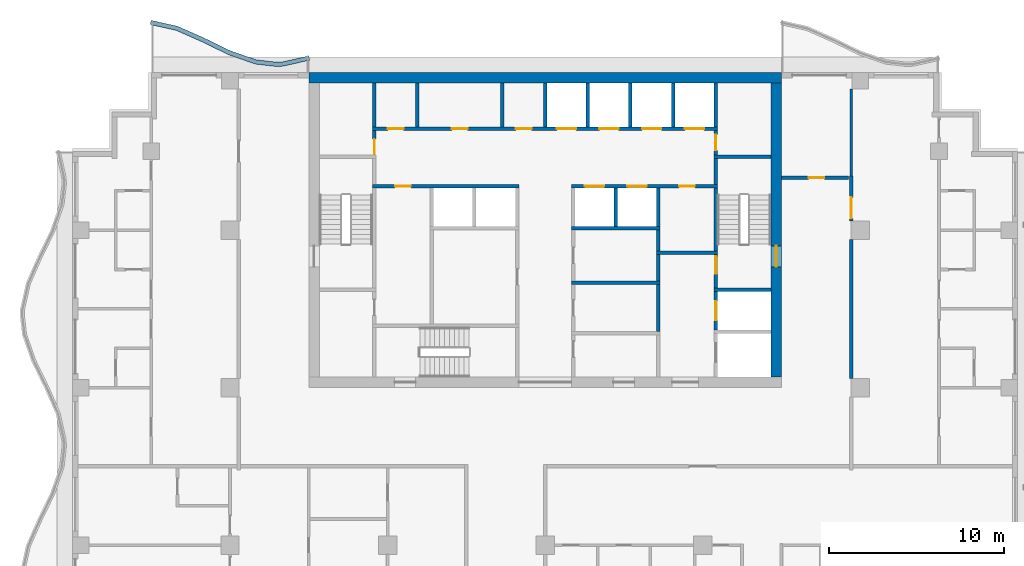
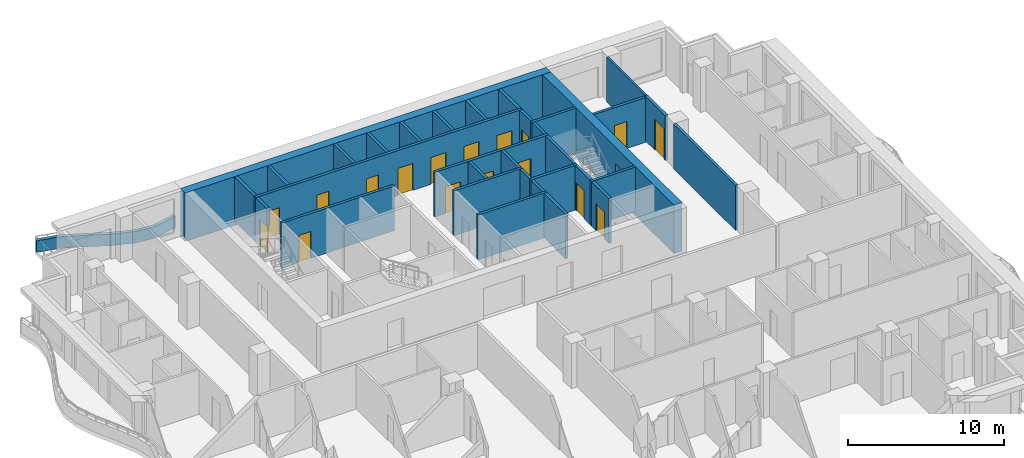
# One storey, part 6 of 11: 34 walls, 18 doors, 18 openings.
"""IFC4 building model written with IfcOpenShell, lengths in metres."""

from ifc_helpers import new_model, si_unit, direction, frame, frame_2d, origin, place, context, subcontext, project, spatial, polyline, rectangle, outline, extrude, material, layer, layer_set, type_object, element, fill, save


model = new_model("IFC4")

# Units and contexts
model_context = context("Model", 3, precision=1e-05, world=origin(), true_north=direction((0.0, 1.0)))
body_context = subcontext(model_context, "Body", "Model", "MODEL_VIEW")
ifc_project = project(units=[si_unit("LENGTHUNIT", "METRE"), si_unit("AREAUNIT", "SQUARE_METRE"), si_unit("VOLUMEUNIT", "CUBIC_METRE"), si_unit("PLANEANGLEUNIT", "RADIAN"), si_unit("MASSUNIT", "GRAM", prefix="KILO")], contexts=[model_context])

# Site, building, storey
site_placement = place(None, origin())
site = spatial("IfcSite", under=ifc_project, at=site_placement, CompositionType="ELEMENT")
building_placement = place(site_placement, origin())
building = spatial("IfcBuilding", under=site, at=building_placement, Name="Orbiselva Terraces", CompositionType="ELEMENT")
storey_placement = place(building_placement, frame((0.0, 0.0, 230.0)))
storey = spatial("IfcBuildingStorey", under=building, at=storey_placement, Name="L58", CompositionType="ELEMENT", Elevation=230.0)

# Wall, opening, door
ifc_material_1 = material(Name="Concrete C80/95", Category="concrete")
ifc_layer_1 = layer(ifc_material_1, 0.6)
ifc_layer_set_1 = layer_set([ifc_layer_1], Name="Concrete C80/95")
wall_type_1 = type_object("IfcWallType", Name="CORE WALL 600", PredefinedType="SHEAR", material=ifc_layer_set_1)
wall_1_placement = place(storey_placement, frame((13.2, 5.1, -0.3), z_axis=(0.0, 0.0, 1.0), x_axis=(0.0, 1.0, 0.0)))
wall_1 = element("IfcWall", 1, at=wall_1_placement, inside=storey, type_object=wall_type_1, Name="Core wall L58 east", PredefinedType="SHEAR", context=body_context, shape_type="SweptSolid", body=[
    extrude(rectangle(XDim=16.8, YDim=0.6, at=frame_2d((8.4, 0.0))), origin(), (0.0, 0.0, 1.0), 3.8),
])
opening_1_placement = place(wall_1_placement, frame((6.3, 0.0, 0.3)))
opening_1 = element("IfcOpeningElement", 2, at=opening_1_placement, cuts=wall_1, Name="Opening DS1200", PredefinedType="OPENING", context=body_context, shape_type="SweptSolid", body=[
    extrude(rectangle(XDim=1.2, YDim=2.2, at=frame_2d((0.6, 1.1))), frame((0.0, 0.31, 0.0), z_axis=(0.0, -1.0, 0.0), x_axis=(1.0, 0.0, 0.0)), (0.0, 0.0, 1.0), 0.62),
])
ifc_material_2 = material(Name="Steel fire door", Category="steel")
door_type_1 = type_object("IfcDoorType", Name="STAIR DOOR 1200", OperationType="NOTDEFINED", PredefinedType="DOOR", material=ifc_material_2)
door_1_placement = place(opening_1_placement, frame((1.2, 0.0, 0.0), z_axis=(0.0, 0.0, 1.0), x_axis=(-1.0, 0.0, 0.0)))
door_1 = element("IfcDoor", 3, at=door_1_placement, inside=storey, type_object=door_type_1, Name="L58 EXIT STAIR S2 door", OperationType="SINGLE_SWING_LEFT", OverallHeight=2.2, OverallWidth=1.2, PredefinedType="DOOR", context=body_context, shape_type="SweptSolid", body=[
    extrude(rectangle(XDim=1.2, YDim=2.2, at=frame_2d((0.6, 1.1))), frame((0.0, 0.025, 0.0), z_axis=(0.0, -1.0, 0.0), x_axis=(1.0, 0.0, 0.0)), (0.0, 0.0, 1.0), 0.05),
])
fill(opening_1, door_1)

# Wall
ifc_layer_2 = layer(ifc_material_1, 0.6)
ifc_layer_set_2 = layer_set([ifc_layer_2], Name="Concrete C80/95")
wall_type_2 = type_object("IfcWallType", Name="CORE WALL 600 EXTERNAL", PredefinedType="SHEAR", material=ifc_layer_set_2)
wall_2_placement = place(storey_placement, frame((13.5, 22.2, -0.3), z_axis=(0.0, 0.0, 1.0), x_axis=(-1.0, 0.0, 0.0)))
element("IfcWall", 4, at=wall_2_placement, inside=storey, type_object=wall_type_2, Name="Core wall L58 north", PredefinedType="SHEAR", context=body_context, shape_type="SweptSolid", body=[
    extrude(rectangle(XDim=27.0, YDim=0.6, at=frame_2d((13.5, 0.0))), origin(), (0.0, 0.0, 1.0), 3.8),
])

# Wall, opening, door
ifc_material_3 = material(Name="Masonry blockwork", Category="masonry")
ifc_layer_3 = layer(ifc_material_3, 0.2)
ifc_layer_set_3 = layer_set([ifc_layer_3], Name="Masonry blockwork")
wall_type_3 = type_object("IfcWallType", Name="CORE-WALL-PARTITION-200", PredefinedType="PARTITIONING", material=ifc_layer_set_3)
wall_3_placement = place(storey_placement, frame((-9.75, 17.8, 0.0), z_axis=(0.0, 0.0, 1.0), x_axis=(0.0, 1.0, 0.0)))
wall_3 = element("IfcWall", 5, at=wall_3_placement, inside=storey, type_object=wall_type_3, Name="L58 core wall 09", PredefinedType="PARTITIONING", context=body_context, shape_type="SweptSolid", body=[
    extrude(rectangle(XDim=1.4, YDim=0.2, at=frame_2d((0.7, 0.0))), origin(), (0.0, 0.0, 1.0), 3.5),
])
opening_2_placement = place(wall_3_placement, origin())
opening_2 = element("IfcOpeningElement", 6, at=opening_2_placement, cuts=wall_3, Name="Opening DR900", PredefinedType="OPENING", context=body_context, shape_type="SweptSolid", body=[
    extrude(rectangle(XDim=0.9, YDim=2.1, at=frame_2d((0.45, 1.05))), frame((0.0, 0.11, 0.0), z_axis=(0.0, -1.0, 0.0), x_axis=(1.0, 0.0, 0.0)), (0.0, 0.0, 1.0), 0.22),
])
door_type_2 = type_object("IfcDoorType", Name="ROOM DOOR 900", OperationType="NOTDEFINED", PredefinedType="DOOR", material=ifc_material_2)
door_2_placement = place(opening_2_placement, origin())
door_2 = element("IfcDoor", 7, at=door_2_placement, inside=storey, type_object=door_type_2, Name="L58 ELECTRICAL RISER ROOM door", OperationType="SINGLE_SWING_LEFT", OverallHeight=2.1, OverallWidth=0.9, PredefinedType="DOOR", context=body_context, shape_type="SweptSolid", body=[
    extrude(rectangle(XDim=0.9, YDim=2.1, at=frame_2d((0.45, 1.05))), frame((0.0, 0.025, 0.0), z_axis=(0.0, -1.0, 0.0), x_axis=(1.0, 0.0, 0.0)), (0.0, 0.0, 1.0), 0.05),
])
fill(opening_2, door_2)

# Walls
for number, where, z_axis, x_axis, name in (
    (8, (-9.75, 19.4, 0.0), (0.0, 0.0, 1.0), (0.0, 1.0, 0.0), "L58 core wall 11"),
    (9, (-7.3125, 19.4, 0.0), (0.0, 0.0, 1.0), (0.0, 1.0, 0.0), "L58 core wall 12"),
    (10, (-2.4375, 19.4, 0.0), (0.0, 0.0, 1.0), (0.0, 1.0, 0.0), "L58 core wall 17"),
):
    element("IfcWall", number, at=place(storey_placement, frame(where, z_axis=z_axis, x_axis=x_axis)), inside=storey, type_object=wall_type_3, Name=name, PredefinedType="PARTITIONING", context=body_context, shape_type="SweptSolid", body=[
        extrude(rectangle(XDim=2.5, YDim=0.2, at=frame_2d((1.25, 0.0))), origin(), (0.0, 0.0, 1.0), 3.5),
    ])
wall_4_placement = place(storey_placement, frame((6.475, 12.3, 0.0), z_axis=(0.0, 0.0, 1.0), x_axis=(0.0, 1.0, 0.0)))
element("IfcWall", 11, at=wall_4_placement, inside=storey, type_object=wall_type_3, Name="L58 core wall 37", PredefinedType="PARTITIONING", context=body_context, shape_type="SweptSolid", body=[
    extrude(rectangle(XDim=1.2, YDim=0.2, at=frame_2d((0.6, 0.0))), origin(), (0.0, 0.0, 1.0), 3.5),
])

# Wall, opening, door
wall_5_placement = place(storey_placement, frame((9.75, 19.2, 0.0), z_axis=(0.0, 0.0, 1.0), x_axis=(0.0, -1.0, 0.0)))
wall_5 = element("IfcWall", 12, at=wall_5_placement, inside=storey, type_object=wall_type_3, Name="L58 core wall 48", PredefinedType="PARTITIONING", context=body_context, shape_type="SweptSolid", body=[
    extrude(rectangle(XDim=1.4, YDim=0.2, at=frame_2d((0.7, 0.0))), origin(), (0.0, 0.0, 1.0), 3.5),
])
opening_3_placement = place(wall_5_placement, frame((0.25, 0.0, 0.0)))
opening_3 = element("IfcOpeningElement", 13, at=opening_3_placement, cuts=wall_5, Name="Opening DR900", PredefinedType="OPENING", context=body_context, shape_type="SweptSolid", body=[
    extrude(rectangle(XDim=0.9, YDim=2.1, at=frame_2d((0.45, 1.05))), frame((0.0, 0.11, 0.0), z_axis=(0.0, -1.0, 0.0), x_axis=(1.0, 0.0, 0.0)), (0.0, 0.0, 1.0), 0.22),
])
door_3_placement = place(opening_3_placement, origin())
door_3 = element("IfcDoor", 14, at=door_3_placement, inside=storey, type_object=door_type_2, Name="L58 COMMS RISER ROOM door", OperationType="SINGLE_SWING_RIGHT", OverallHeight=2.1, OverallWidth=0.9, PredefinedType="DOOR", context=body_context, shape_type="SweptSolid", body=[
    extrude(rectangle(XDim=0.9, YDim=2.1, at=frame_2d((0.45, 1.05))), frame((0.0, 0.025, 0.0), z_axis=(0.0, -1.0, 0.0), x_axis=(1.0, 0.0, 0.0)), (0.0, 0.0, 1.0), 0.05),
])
fill(opening_3, door_3)

# Walls
ifc_material_4 = material(Name="Concrete C40/50", Category="concrete")
ifc_layer_4 = layer(ifc_material_4, 0.2)
ifc_layer_set_4 = layer_set([ifc_layer_4], Name="Concrete C40/50")
wall_type_4 = type_object("IfcWallType", Name="CORE-WALL-SHAFT-200", PredefinedType="PARTITIONING", material=ifc_layer_set_4)
for number, where, z_axis, x_axis, name in (
    (15, (0.0, 19.4, 0.0), (0.0, 0.0, 1.0), (0.0, 1.0, 0.0), "L58 core wall 21"),
    (16, (2.4375, 19.4, 0.0), (0.0, 0.0, 1.0), (0.0, 1.0, 0.0), "L58 core wall 30"),
):
    element("IfcWall", number, at=place(storey_placement, frame(where, z_axis=z_axis, x_axis=x_axis)), inside=storey, type_object=wall_type_4, Name=name, PredefinedType="PARTITIONING", context=body_context, shape_type="SweptSolid", body=[
        extrude(rectangle(XDim=2.5, YDim=0.2, at=frame_2d((1.25, 0.0))), origin(), (0.0, 0.0, 1.0), 3.5),
    ])
wall_6_placement = place(storey_placement, frame((4.0375, 13.7, 0.0), z_axis=(0.0, 0.0, 1.0), x_axis=(0.0, 1.0, 0.0)))
element("IfcWall", 17, at=wall_6_placement, inside=storey, type_object=wall_type_4, Name="L58 core wall 31", PredefinedType="PARTITIONING", context=body_context, shape_type="SweptSolid", body=[
    extrude(rectangle(XDim=2.2, YDim=0.2, at=frame_2d((1.1, 0.0))), origin(), (0.0, 0.0, 1.0), 3.5),
])
wall_7_placement = place(storey_placement, frame((4.875, 19.4, 0.0), z_axis=(0.0, 0.0, 1.0), x_axis=(0.0, 1.0, 0.0)))
element("IfcWall", 18, at=wall_7_placement, inside=storey, type_object=wall_type_4, Name="L58 core wall 32", PredefinedType="PARTITIONING", context=body_context, shape_type="SweptSolid", body=[
    extrude(rectangle(XDim=2.5, YDim=0.2, at=frame_2d((1.25, 0.0))), origin(), (0.0, 0.0, 1.0), 3.5),
])
wall_8_placement = place(storey_placement, frame((6.475, 13.7, 0.0), z_axis=(0.0, 0.0, 1.0), x_axis=(0.0, 1.0, 0.0)))
element("IfcWall", 19, at=wall_8_placement, inside=storey, type_object=wall_type_4, Name="L58 core wall 38", PredefinedType="PARTITIONING", context=body_context, shape_type="SweptSolid", body=[
    extrude(rectangle(XDim=2.2, YDim=0.2, at=frame_2d((1.1, 0.0))), origin(), (0.0, 0.0, 1.0), 3.5),
])
for number, where, z_axis, x_axis, name in (
    (20, (7.3125, 19.4, 0.0), (0.0, 0.0, 1.0), (0.0, 1.0, 0.0), "L58 core wall 39"),
    (21, (9.75, 19.4, 0.0), (0.0, 0.0, 1.0), (0.0, 1.0, 0.0), "L58 core wall 49"),
):
    element("IfcWall", number, at=place(storey_placement, frame(where, z_axis=z_axis, x_axis=x_axis)), inside=storey, type_object=wall_type_4, Name=name, PredefinedType="PARTITIONING", context=body_context, shape_type="SweptSolid", body=[
        extrude(rectangle(XDim=2.5, YDim=0.2, at=frame_2d((1.25, 0.0))), origin(), (0.0, 0.0, 1.0), 3.5),
    ])

# Wall, opening, door
ifc_material_5 = material(Name="Concrete C60/75", Category="concrete")
ifc_layer_5 = layer(ifc_material_5, 0.2)
ifc_layer_set_5 = layer_set([ifc_layer_5], Name="Concrete C60/75")
wall_type_5 = type_object("IfcWallType", Name="CORE-WALL-SHEAR-200", PredefinedType="SHEAR", material=ifc_layer_set_5)
wall_9_placement = place(storey_placement, frame((-1.5, 16.0, 0.0), z_axis=(0.0, 0.0, 1.0), x_axis=(-1.0, 0.0, 0.0)))
wall_9 = element("IfcWall", 22, at=wall_9_placement, inside=storey, type_object=wall_type_5, Name="L58 core wall 07", PredefinedType="SHEAR", context=body_context, shape_type="SweptSolid", body=[
    extrude(rectangle(XDim=8.35, YDim=0.2, at=frame_2d((4.175, 0.0))), origin(), (0.0, 0.0, 1.0), 3.5),
])
opening_4_placement = place(wall_9_placement, frame((6.1625, 0.0, 0.0)))
opening_4 = element("IfcOpeningElement", 23, at=opening_4_placement, cuts=wall_9, Name="Opening DR900", PredefinedType="OPENING", context=body_context, shape_type="SweptSolid", body=[
    extrude(rectangle(XDim=0.9, YDim=2.1, at=frame_2d((0.45, 1.05))), frame((0.0, 0.11, 0.0), z_axis=(0.0, -1.0, 0.0), x_axis=(1.0, 0.0, 0.0)), (0.0, 0.0, 1.0), 0.22),
])
door_4_placement = place(opening_4_placement, origin())
door_4 = element("IfcDoor", 24, at=door_4_placement, inside=storey, type_object=door_type_2, Name="L58 STAFF PANTRY door", OperationType="SINGLE_SWING_RIGHT", OverallHeight=2.1, OverallWidth=0.9, PredefinedType="DOOR", context=body_context, shape_type="SweptSolid", body=[
    extrude(rectangle(XDim=0.9, YDim=2.1, at=frame_2d((0.45, 1.05))), frame((0.0, 0.025, 0.0), z_axis=(0.0, -1.0, 0.0), x_axis=(1.0, 0.0, 0.0)), (0.0, 0.0, 1.0), 0.05),
])
fill(opening_4, door_4)

# Wall, openings, doors
wall_10_placement = place(storey_placement, frame((-9.85, 19.3, 0.0), z_axis=(0.0, 0.0, 1.0), x_axis=(1.0, 0.0, 0.0)))
wall_10 = element("IfcWall", 25, at=wall_10_placement, inside=storey, type_object=wall_type_5, Name="L58 core wall 10", PredefinedType="SHEAR", context=body_context, shape_type="SweptSolid", body=[
    extrude(rectangle(XDim=19.7, YDim=0.2, at=frame_2d((9.85, 0.0))), origin(), (0.0, 0.0, 1.0), 3.5),
])
opening_5_placement = place(wall_10_placement, frame((10.51875, 0.0, 0.0)))
opening_5 = element("IfcOpeningElement", 26, at=opening_5_placement, cuts=wall_10, Name="Opening LD-HR1", PredefinedType="OPENING", context=body_context, shape_type="SweptSolid", body=[
    extrude(rectangle(XDim=1.1, YDim=2.1, at=frame_2d((0.55, 1.05))), frame((0.0, 0.11, 0.0), z_axis=(0.0, -1.0, 0.0), x_axis=(1.0, 0.0, 0.0)), (0.0, 0.0, 1.0), 0.22),
])
opening_6_placement = place(wall_10_placement, frame((12.95625, 0.0, 0.0)))
opening_6 = element("IfcOpeningElement", 27, at=opening_6_placement, cuts=wall_10, Name="Opening LD-HR2", PredefinedType="OPENING", context=body_context, shape_type="SweptSolid", body=[
    extrude(rectangle(XDim=1.1, YDim=2.1, at=frame_2d((0.55, 1.05))), frame((0.0, 0.11, 0.0), z_axis=(0.0, -1.0, 0.0), x_axis=(1.0, 0.0, 0.0)), (0.0, 0.0, 1.0), 0.22),
])
opening_7_placement = place(wall_10_placement, frame((15.39375, 0.0, 0.0)))
opening_7 = element("IfcOpeningElement", 28, at=opening_7_placement, cuts=wall_10, Name="Opening LD-HR3", PredefinedType="OPENING", context=body_context, shape_type="SweptSolid", body=[
    extrude(rectangle(XDim=1.1, YDim=2.1, at=frame_2d((0.55, 1.05))), frame((0.0, 0.11, 0.0), z_axis=(0.0, -1.0, 0.0), x_axis=(1.0, 0.0, 0.0)), (0.0, 0.0, 1.0), 0.22),
])
opening_8_placement = place(wall_10_placement, frame((17.83125, 0.0, 0.0)))
opening_8 = element("IfcOpeningElement", 29, at=opening_8_placement, cuts=wall_10, Name="Opening LD-HR4", PredefinedType="OPENING", context=body_context, shape_type="SweptSolid", body=[
    extrude(rectangle(XDim=1.1, YDim=2.1, at=frame_2d((0.55, 1.05))), frame((0.0, 0.11, 0.0), z_axis=(0.0, -1.0, 0.0), x_axis=(1.0, 0.0, 0.0)), (0.0, 0.0, 1.0), 0.22),
])
opening_9_placement = place(wall_10_placement, frame((0.8688, 0.0, 0.0)))
opening_9 = element("IfcOpeningElement", 30, at=opening_9_placement, cuts=wall_10, Name="Opening DR900", PredefinedType="OPENING", context=body_context, shape_type="SweptSolid", body=[
    extrude(rectangle(XDim=0.9, YDim=2.1, at=frame_2d((0.45, 1.05))), frame((0.0, 0.11, 0.0), z_axis=(0.0, -1.0, 0.0), x_axis=(1.0, 0.0, 0.0)), (0.0, 0.0, 1.0), 0.22),
])
opening_10_placement = place(wall_10_placement, frame((4.525, 0.0, 0.0)))
opening_10 = element("IfcOpeningElement", 31, at=opening_10_placement, cuts=wall_10, Name="Opening DR900", PredefinedType="OPENING", context=body_context, shape_type="SweptSolid", body=[
    extrude(rectangle(XDim=0.9, YDim=2.1, at=frame_2d((0.45, 1.05))), frame((0.0, 0.11, 0.0), z_axis=(0.0, -1.0, 0.0), x_axis=(1.0, 0.0, 0.0)), (0.0, 0.0, 1.0), 0.22),
])
opening_11_placement = place(wall_10_placement, frame((8.1812, 0.0, 0.0)))
opening_11 = element("IfcOpeningElement", 32, at=opening_11_placement, cuts=wall_10, Name="Opening DR900", PredefinedType="OPENING", context=body_context, shape_type="SweptSolid", body=[
    extrude(rectangle(XDim=0.9, YDim=2.1, at=frame_2d((0.45, 1.05))), frame((0.0, 0.11, 0.0), z_axis=(0.0, -1.0, 0.0), x_axis=(1.0, 0.0, 0.0)), (0.0, 0.0, 1.0), 0.22),
])
ifc_material_6 = material(Name="Stainless steel landing door", Category="steel")
door_type_3 = type_object("IfcDoorType", Name="LANDING DOOR 1100", OperationType="SLIDING_TO_LEFT", PredefinedType="DOOR", material=ifc_material_6)
door_5_placement = place(opening_5_placement, origin())
door_5 = element("IfcDoor", 33, at=door_5_placement, inside=storey, type_object=door_type_3, Name="L58 landing door HR1", OperationType="SLIDING_TO_RIGHT", OverallHeight=2.1, OverallWidth=1.1, PredefinedType="DOOR", context=body_context, shape_type="SweptSolid", body=[
    extrude(rectangle(XDim=1.1, YDim=2.1, at=frame_2d((0.55, 1.05))), frame((0.0, 0.025, 0.0), z_axis=(0.0, -1.0, 0.0), x_axis=(1.0, 0.0, 0.0)), (0.0, 0.0, 1.0), 0.05),
])
fill(opening_5, door_5)
door_6_placement = place(opening_6_placement, origin())
door_6 = element("IfcDoor", 34, at=door_6_placement, inside=storey, type_object=door_type_3, Name="L58 landing door HR2", OperationType="SLIDING_TO_RIGHT", OverallHeight=2.1, OverallWidth=1.1, PredefinedType="DOOR", context=body_context, shape_type="SweptSolid", body=[
    extrude(rectangle(XDim=1.1, YDim=2.1, at=frame_2d((0.55, 1.05))), frame((0.0, 0.025, 0.0), z_axis=(0.0, -1.0, 0.0), x_axis=(1.0, 0.0, 0.0)), (0.0, 0.0, 1.0), 0.05),
])
fill(opening_6, door_6)
door_7_placement = place(opening_7_placement, origin())
door_7 = element("IfcDoor", 35, at=door_7_placement, inside=storey, type_object=door_type_3, Name="L58 landing door HR3", OperationType="SLIDING_TO_RIGHT", OverallHeight=2.1, OverallWidth=1.1, PredefinedType="DOOR", context=body_context, shape_type="SweptSolid", body=[
    extrude(rectangle(XDim=1.1, YDim=2.1, at=frame_2d((0.55, 1.05))), frame((0.0, 0.025, 0.0), z_axis=(0.0, -1.0, 0.0), x_axis=(1.0, 0.0, 0.0)), (0.0, 0.0, 1.0), 0.05),
])
fill(opening_7, door_7)
door_8_placement = place(opening_8_placement, origin())
door_8 = element("IfcDoor", 36, at=door_8_placement, inside=storey, type_object=door_type_3, Name="L58 landing door HR4", OperationType="SLIDING_TO_RIGHT", OverallHeight=2.1, OverallWidth=1.1, PredefinedType="DOOR", context=body_context, shape_type="SweptSolid", body=[
    extrude(rectangle(XDim=1.1, YDim=2.1, at=frame_2d((0.55, 1.05))), frame((0.0, 0.025, 0.0), z_axis=(0.0, -1.0, 0.0), x_axis=(1.0, 0.0, 0.0)), (0.0, 0.0, 1.0), 0.05),
])
fill(opening_8, door_8)
door_9_placement = place(opening_9_placement, origin())
door_9 = element("IfcDoor", 37, at=door_9_placement, inside=storey, type_object=door_type_2, Name="L58 STORE door", OperationType="SINGLE_SWING_LEFT", OverallHeight=2.1, OverallWidth=0.9, PredefinedType="DOOR", context=body_context, shape_type="SweptSolid", body=[
    extrude(rectangle(XDim=0.9, YDim=2.1, at=frame_2d((0.45, 1.05))), frame((0.0, 0.025, 0.0), z_axis=(0.0, -1.0, 0.0), x_axis=(1.0, 0.0, 0.0)), (0.0, 0.0, 1.0), 0.05),
])
fill(opening_9, door_9)
door_10_placement = place(opening_10_placement, origin())
door_10 = element("IfcDoor", 38, at=door_10_placement, inside=storey, type_object=door_type_2, Name="L58 IT ROOM door", OperationType="SINGLE_SWING_LEFT", OverallHeight=2.1, OverallWidth=0.9, PredefinedType="DOOR", context=body_context, shape_type="SweptSolid", body=[
    extrude(rectangle(XDim=0.9, YDim=2.1, at=frame_2d((0.45, 1.05))), frame((0.0, 0.025, 0.0), z_axis=(0.0, -1.0, 0.0), x_axis=(1.0, 0.0, 0.0)), (0.0, 0.0, 1.0), 0.05),
])
fill(opening_10, door_10)
door_11_placement = place(opening_11_placement, origin())
door_11 = element("IfcDoor", 39, at=door_11_placement, inside=storey, type_object=door_type_2, Name="L58 CLEANERS STORE door", OperationType="SINGLE_SWING_LEFT", OverallHeight=2.1, OverallWidth=0.9, PredefinedType="DOOR", context=body_context, shape_type="SweptSolid", body=[
    extrude(rectangle(XDim=0.9, YDim=2.1, at=frame_2d((0.45, 1.05))), frame((0.0, 0.025, 0.0), z_axis=(0.0, -1.0, 0.0), x_axis=(1.0, 0.0, 0.0)), (0.0, 0.0, 1.0), 0.05),
])
fill(opening_11, door_11)

# Walls
for number, where, z_axis, x_axis, name in (
    (40, (1.5, 10.5, 0.0), (0.0, 0.0, 1.0), (1.0, 0.0, 0.0), "L58 core wall 25"),
    (41, (1.5, 13.6, 0.0), (0.0, 0.0, 1.0), (1.0, 0.0, 0.0), "L58 core wall 27"),
):
    element("IfcWall", number, at=place(storey_placement, frame(where, z_axis=z_axis, x_axis=x_axis)), inside=storey, type_object=wall_type_5, Name=name, PredefinedType="SHEAR", context=body_context, shape_type="SweptSolid", body=[
        extrude(rectangle(XDim=5.075, YDim=0.2, at=frame_2d((2.5375, 0.0))), origin(), (0.0, 0.0, 1.0), 3.5),
    ])

# Wall, openings, doors
wall_11_placement = place(storey_placement, frame((9.85, 16.0, 0.0), z_axis=(0.0, 0.0, 1.0), x_axis=(-1.0, 0.0, 0.0)))
wall_11 = element("IfcWall", 42, at=wall_11_placement, inside=storey, type_object=wall_type_5, Name="L58 core wall 29", PredefinedType="SHEAR", context=body_context, shape_type="SweptSolid", body=[
    extrude(rectangle(XDim=8.35, YDim=0.2, at=frame_2d((4.175, 0.0))), origin(), (0.0, 0.0, 1.0), 3.5),
])
opening_12_placement = place(wall_11_placement, frame((6.48125, 0.0, 0.0)))
opening_12 = element("IfcOpeningElement", 43, at=opening_12_placement, cuts=wall_11, Name="Opening LD-HR5", PredefinedType="OPENING", context=body_context, shape_type="SweptSolid", body=[
    extrude(rectangle(XDim=1.1, YDim=2.1, at=frame_2d((0.55, 1.05))), frame((0.0, 0.11, 0.0), z_axis=(0.0, -1.0, 0.0), x_axis=(1.0, 0.0, 0.0)), (0.0, 0.0, 1.0), 0.22),
])
opening_13_placement = place(wall_11_placement, frame((4.04375, 0.0, 0.0)))
opening_13 = element("IfcOpeningElement", 44, at=opening_13_placement, cuts=wall_11, Name="Opening LD-HR6", PredefinedType="OPENING", context=body_context, shape_type="SweptSolid", body=[
    extrude(rectangle(XDim=1.1, YDim=2.1, at=frame_2d((0.55, 1.05))), frame((0.0, 0.11, 0.0), z_axis=(0.0, -1.0, 0.0), x_axis=(1.0, 0.0, 0.0)), (0.0, 0.0, 1.0), 0.22),
])
opening_14_placement = place(wall_11_placement, frame((1.2875, 0.0, 0.0)))
opening_14 = element("IfcOpeningElement", 45, at=opening_14_placement, cuts=wall_11, Name="Opening DR900", PredefinedType="OPENING", context=body_context, shape_type="SweptSolid", body=[
    extrude(rectangle(XDim=0.9, YDim=2.1, at=frame_2d((0.45, 1.05))), frame((0.0, 0.11, 0.0), z_axis=(0.0, -1.0, 0.0), x_axis=(1.0, 0.0, 0.0)), (0.0, 0.0, 1.0), 0.22),
])
door_12_placement = place(opening_12_placement, origin())
door_12 = element("IfcDoor", 46, at=door_12_placement, inside=storey, type_object=door_type_3, Name="L58 landing door HR5", OperationType="SLIDING_TO_RIGHT", OverallHeight=2.1, OverallWidth=1.1, PredefinedType="DOOR", context=body_context, shape_type="SweptSolid", body=[
    extrude(rectangle(XDim=1.1, YDim=2.1, at=frame_2d((0.55, 1.05))), frame((0.0, 0.025, 0.0), z_axis=(0.0, -1.0, 0.0), x_axis=(1.0, 0.0, 0.0)), (0.0, 0.0, 1.0), 0.05),
])
fill(opening_12, door_12)
door_13_placement = place(opening_13_placement, origin())
door_13 = element("IfcDoor", 47, at=door_13_placement, inside=storey, type_object=door_type_3, Name="L58 landing door HR6", OperationType="SLIDING_TO_RIGHT", OverallHeight=2.1, OverallWidth=1.1, PredefinedType="DOOR", context=body_context, shape_type="SweptSolid", body=[
    extrude(rectangle(XDim=1.1, YDim=2.1, at=frame_2d((0.55, 1.05))), frame((0.0, 0.025, 0.0), z_axis=(0.0, -1.0, 0.0), x_axis=(1.0, 0.0, 0.0)), (0.0, 0.0, 1.0), 0.05),
])
fill(opening_13, door_13)
door_14_placement = place(opening_14_placement, origin())
door_14 = element("IfcDoor", 48, at=door_14_placement, inside=storey, type_object=door_type_2, Name="L58 PIPE RISER ROOM door", OperationType="SINGLE_SWING_LEFT", OverallHeight=2.1, OverallWidth=0.9, PredefinedType="DOOR", context=body_context, shape_type="SweptSolid", body=[
    extrude(rectangle(XDim=0.9, YDim=2.1, at=frame_2d((0.45, 1.05))), frame((0.0, 0.025, 0.0), z_axis=(0.0, -1.0, 0.0), x_axis=(1.0, 0.0, 0.0)), (0.0, 0.0, 1.0), 0.05),
])
fill(opening_14, door_14)

# Walls
wall_12_placement = place(storey_placement, frame((6.475, 7.7, 0.0), z_axis=(0.0, 0.0, 1.0), x_axis=(0.0, 1.0, 0.0)))
element("IfcWall", 49, at=wall_12_placement, inside=storey, type_object=wall_type_5, Name="L58 core wall 34", PredefinedType="SHEAR", context=body_context, shape_type="SweptSolid", body=[
    extrude(rectangle(XDim=2.7, YDim=0.2, at=frame_2d((1.35, 0.0))), origin(), (0.0, 0.0, 1.0), 3.5),
])
wall_13_placement = place(storey_placement, frame((6.475, 10.6, 0.0), z_axis=(0.0, 0.0, 1.0), x_axis=(0.0, 1.0, 0.0)))
element("IfcWall", 50, at=wall_13_placement, inside=storey, type_object=wall_type_5, Name="L58 core wall 35", PredefinedType="SHEAR", context=body_context, shape_type="SweptSolid", body=[
    extrude(rectangle(XDim=1.5, YDim=0.2, at=frame_2d((0.75, 0.0))), origin(), (0.0, 0.0, 1.0), 3.5),
])
wall_14_placement = place(storey_placement, frame((6.375, 12.2, 0.0), z_axis=(0.0, 0.0, 1.0), x_axis=(1.0, 0.0, 0.0)))
element("IfcWall", 51, at=wall_14_placement, inside=storey, type_object=wall_type_5, Name="L58 core wall 36", PredefinedType="SHEAR", context=body_context, shape_type="SweptSolid", body=[
    extrude(rectangle(XDim=3.475, YDim=0.2, at=frame_2d((1.7375, 0.0))), origin(), (0.0, 0.0, 1.0), 3.5),
])

# Wall, opening, door
wall_15_placement = place(storey_placement, frame((9.75, 7.8, 0.0), z_axis=(0.0, 0.0, 1.0), x_axis=(0.0, 1.0, 0.0)))
wall_15 = element("IfcWall", 52, at=wall_15_placement, inside=storey, type_object=wall_type_5, Name="L58 core wall 42", PredefinedType="SHEAR", context=body_context, shape_type="SweptSolid", body=[
    extrude(rectangle(XDim=2.2, YDim=0.2, at=frame_2d((1.1, 0.0))), origin(), (0.0, 0.0, 1.0), 3.5),
])
opening_15_placement = place(wall_15_placement, frame((0.55, 0.0, 0.0)))
opening_15 = element("IfcOpeningElement", 53, at=opening_15_placement, cuts=wall_15, Name="Opening LD-FF2", PredefinedType="OPENING", context=body_context, shape_type="SweptSolid", body=[
    extrude(rectangle(XDim=1.1, YDim=2.1, at=frame_2d((0.55, 1.05))), frame((0.0, 0.11, 0.0), z_axis=(0.0, -1.0, 0.0), x_axis=(1.0, 0.0, 0.0)), (0.0, 0.0, 1.0), 0.22),
])
door_15_placement = place(opening_15_placement, origin())
door_15 = element("IfcDoor", 54, at=door_15_placement, inside=storey, type_object=door_type_3, Name="L58 landing door FF2", OperationType="SLIDING_TO_RIGHT", OverallHeight=2.1, OverallWidth=1.1, PredefinedType="DOOR", context=body_context, shape_type="SweptSolid", body=[
    extrude(rectangle(XDim=1.1, YDim=2.1, at=frame_2d((0.55, 1.05))), frame((0.0, 0.025, 0.0), z_axis=(0.0, -1.0, 0.0), x_axis=(1.0, 0.0, 0.0)), (0.0, 0.0, 1.0), 0.05),
])
fill(opening_15, door_15)

# Wall
wall_16_placement = place(storey_placement, frame((9.65, 10.1, 0.0), z_axis=(0.0, 0.0, 1.0), x_axis=(1.0, 0.0, 0.0)))
element("IfcWall", 55, at=wall_16_placement, inside=storey, type_object=wall_type_5, Name="L58 core wall 43", PredefinedType="SHEAR", context=body_context, shape_type="SweptSolid", body=[
    extrude(rectangle(XDim=3.25, YDim=0.2, at=frame_2d((1.625, 0.0))), origin(), (0.0, 0.0, 1.0), 3.5),
])

# Wall, opening, door
wall_17_placement = place(storey_placement, frame((9.75, 12.1, 0.0), z_axis=(0.0, 0.0, 1.0), x_axis=(0.0, -1.0, 0.0)))
wall_17 = element("IfcWall", 56, at=wall_17_placement, inside=storey, type_object=wall_type_5, Name="L58 core wall 44", PredefinedType="SHEAR", context=body_context, shape_type="SweptSolid", body=[
    extrude(rectangle(XDim=1.9, YDim=0.2, at=frame_2d((0.95, 0.0))), origin(), (0.0, 0.0, 1.0), 3.5),
])
opening_16_placement = place(wall_17_placement, frame((0.1, 0.0, 0.0)))
opening_16 = element("IfcOpeningElement", 57, at=opening_16_placement, cuts=wall_17, Name="Opening DS1000", PredefinedType="OPENING", context=body_context, shape_type="SweptSolid", body=[
    extrude(rectangle(XDim=1.0, YDim=2.2, at=frame_2d((0.5, 1.1))), frame((0.0, 0.11, 0.0), z_axis=(0.0, -1.0, 0.0), x_axis=(1.0, 0.0, 0.0)), (0.0, 0.0, 1.0), 0.22),
])
door_type_4 = type_object("IfcDoorType", Name="STAIR DOOR 1000", OperationType="NOTDEFINED", PredefinedType="DOOR", material=ifc_material_2)
door_16_placement = place(opening_16_placement, origin())
door_16 = element("IfcDoor", 58, at=door_16_placement, inside=storey, type_object=door_type_4, Name="L58 FIRE-FIGHTING LOBBY TO EXIT STAIR S2 door", OperationType="SINGLE_SWING_LEFT", OverallHeight=2.2, OverallWidth=1.0, PredefinedType="DOOR", context=body_context, shape_type="SweptSolid", body=[
    extrude(rectangle(XDim=1.0, YDim=2.2, at=frame_2d((0.5, 1.1))), frame((0.0, 0.025, 0.0), z_axis=(0.0, -1.0, 0.0), x_axis=(1.0, 0.0, 0.0)), (0.0, 0.0, 1.0), 0.05),
])
fill(opening_16, door_16)

# Walls
wall_18_placement = place(storey_placement, frame((9.75, 12.3, 0.0), z_axis=(0.0, 0.0, 1.0), x_axis=(0.0, 1.0, 0.0)))
element("IfcWall", 59, at=wall_18_placement, inside=storey, type_object=wall_type_5, Name="L58 core wall 45", PredefinedType="SHEAR", context=body_context, shape_type="SweptSolid", body=[
    extrude(rectangle(XDim=3.6, YDim=0.2, at=frame_2d((1.8, 0.0))), origin(), (0.0, 0.0, 1.0), 3.5),
])
wall_19_placement = place(storey_placement, frame((9.75, 16.1, 0.0), z_axis=(0.0, 0.0, 1.0), x_axis=(0.0, 1.0, 0.0)))
element("IfcWall", 60, at=wall_19_placement, inside=storey, type_object=wall_type_5, Name="L58 core wall 46", PredefinedType="SHEAR", context=body_context, shape_type="SweptSolid", body=[
    extrude(rectangle(XDim=1.5, YDim=0.2, at=frame_2d((0.75, 0.0))), origin(), (0.0, 0.0, 1.0), 3.5),
])
wall_20_placement = place(storey_placement, frame((9.65, 17.7, 0.0), z_axis=(0.0, 0.0, 1.0), x_axis=(1.0, 0.0, 0.0)))
element("IfcWall", 61, at=wall_20_placement, inside=storey, type_object=wall_type_5, Name="L58 core wall 47", PredefinedType="SHEAR", context=body_context, shape_type="SweptSolid", body=[
    extrude(rectangle(XDim=3.25, YDim=0.2, at=frame_2d((1.625, 0.0))), origin(), (0.0, 0.0, 1.0), 3.5),
])
ifc_layer_6 = layer(ifc_material_4, 0.25)
ifc_layer_set_6 = layer_set([ifc_layer_6], Name="Concrete C40/50")
wall_type_6 = type_object("IfcWallType", Name="ENV-PLANTER-250x900", PredefinedType="USERDEFINED", material=ifc_layer_set_6)
wall_21_placement = place(storey_placement, origin())
element("IfcWall", 62, at=wall_21_placement, inside=storey, type_object=wall_type_6, Name="Balcony planter L58 NW", ObjectType="PLANTER", PredefinedType="USERDEFINED", context=body_context, shape_type="SweptSolid", body=[
    extrude(outline(polyline([(-13.5, 23.451472), (-15.0, 23.114774), (-15.375, 23.1), (-16.5, 23.230792), (-18.0, 23.755211), (-19.5, 24.487721), (-21.0, 25.148528), (-22.5, 25.485226), (-22.554754, 25.241296), (-21.078508, 24.90993), (-19.605286, 24.260919), (-18.09644, 23.524089), (-16.556371, 22.985662), (-15.384572, 22.849429), (-14.967435, 22.865863), (-13.445246, 23.207542), (-13.5, 23.451472)])), origin(), (0.0, 0.0, 1.0), 0.9),
])

# Wall, opening, door
ifc_material_7 = material(Name="Plasterboard on steel stud partition", Category="steel")
ifc_layer_7 = layer(ifc_material_7, 0.2)
ifc_layer_set_7 = layer_set([ifc_layer_7], Name="Plasterboard on steel stud partition")
wall_type_7 = type_object("IfcWallType", Name="UNIT-ENTRANCE-WALL-200", PredefinedType="PARTITIONING", material=ifc_layer_set_7)
wall_22_placement = place(storey_placement, frame((13.5, 16.5, 0.0), z_axis=(0.0, 0.0, 1.0), x_axis=(1.0, 0.0, 0.0)))
wall_22 = element("IfcWall", 63, at=wall_22_placement, inside=storey, type_object=wall_type_7, Name="PARTITION L58-046", PredefinedType="PARTITIONING", context=body_context, shape_type="SweptSolid", body=[
    extrude(rectangle(XDim=3.825, YDim=0.2, at=frame_2d((1.9125, 0.0))), origin(), (0.0, 0.0, 1.0), 3.5),
])
opening_17_placement = place(wall_22_placement, frame((1.55, 0.0, 0.0)))
opening_17 = element("IfcOpeningElement", 64, at=opening_17_placement, cuts=wall_22, Name="Opening Z4-E-01", PredefinedType="OPENING", context=body_context, shape_type="SweptSolid", body=[
    extrude(rectangle(XDim=0.9, YDim=2.1, at=frame_2d((0.45, 1.05))), frame((0.0, 0.11, 0.0), z_axis=(0.0, -1.0, 0.0), x_axis=(1.0, 0.0, 0.0)), (0.0, 0.0, 1.0), 0.22),
])
ifc_material_8 = material(Name="Painted timber door leaf", Category="wood")
door_type_5 = type_object("IfcDoorType", Name="SERVICE DOOR 900", OperationType="NOTDEFINED", PredefinedType="DOOR", material=ifc_material_8)
door_17_placement = place(opening_17_placement, origin())
door_17 = element("IfcDoor", 65, at=door_17_placement, inside=storey, type_object=door_type_5, Name="Z4-E-01", OperationType="SINGLE_SWING_RIGHT", OverallHeight=2.1, OverallWidth=0.9, PredefinedType="DOOR", context=body_context, shape_type="SweptSolid", body=[
    extrude(rectangle(XDim=0.9, YDim=2.1, at=frame_2d((0.45, 1.05))), frame((0.0, 0.025, 0.0), z_axis=(0.0, -1.0, 0.0), x_axis=(1.0, 0.0, 0.0)), (0.0, 0.0, 1.0), 0.05),
])
fill(opening_17, door_17)

# Wall
wall_23_placement = place(storey_placement, frame((17.5, 5.025, 0.0), z_axis=(0.0, 0.0, 1.0), x_axis=(0.0, 1.0, 0.0)))
element("IfcWall", 66, at=wall_23_placement, inside=storey, type_object=wall_type_7, Name="PARTITION L58-082", PredefinedType="PARTITIONING", context=body_context, shape_type="SweptSolid", body=[
    extrude(rectangle(XDim=7.95, YDim=0.2, at=frame_2d((3.975, 0.0))), origin(), (0.0, 0.0, 1.0), 3.5),
])

# Wall, opening, door
wall_24_placement = place(storey_placement, frame((17.5, 16.6, 0.0), z_axis=(0.0, 0.0, 1.0), x_axis=(0.0, -1.0, 0.0)))
wall_24 = element("IfcWall", 67, at=wall_24_placement, inside=storey, type_object=wall_type_7, Name="PARTITION L58-083", PredefinedType="PARTITIONING", context=body_context, shape_type="SweptSolid", body=[
    extrude(rectangle(XDim=2.575, YDim=0.2, at=frame_2d((1.2875, 0.0))), origin(), (0.0, 0.0, 1.0), 3.5),
])
opening_18_placement = place(wall_24_placement, frame((1.225, 0.0, 0.0)))
opening_18 = element("IfcOpeningElement", 68, at=opening_18_placement, cuts=wall_24, Name="Opening Z4-E-10", PredefinedType="OPENING", context=body_context, shape_type="SweptSolid", body=[
    extrude(rectangle(XDim=1.2, YDim=2.4, at=frame_2d((0.6, 1.2))), frame((0.0, 0.11, 0.0), z_axis=(0.0, -1.0, 0.0), x_axis=(1.0, 0.0, 0.0)), (0.0, 0.0, 1.0), 0.22),
])
door_type_6 = type_object("IfcDoorType", Name="ENTRANCE DOOR 1200", OperationType="NOTDEFINED", PredefinedType="DOOR", material=ifc_material_8)
door_18_placement = place(opening_18_placement, origin())
door_18 = element("IfcDoor", 69, at=door_18_placement, inside=storey, type_object=door_type_6, Name="Z4-E-10", OperationType="SINGLE_SWING_RIGHT", OverallHeight=2.4, OverallWidth=1.2, PredefinedType="DOOR", context=body_context, shape_type="SweptSolid", body=[
    extrude(rectangle(XDim=1.2, YDim=2.4, at=frame_2d((0.6, 1.2))), frame((0.0, 0.025, 0.0), z_axis=(0.0, -1.0, 0.0), x_axis=(1.0, 0.0, 0.0)), (0.0, 0.0, 1.0), 0.05),
])
fill(opening_18, door_18)

# Wall
ifc_layer_8 = layer(ifc_material_7, 0.15)
ifc_layer_set_8 = layer_set([ifc_layer_8], Name="Plasterboard on steel stud partition")
wall_type_8 = type_object("IfcWallType", Name="UNIT-PARTITION-150", PredefinedType="PARTITIONING", material=ifc_layer_set_8)
wall_25_placement = place(storey_placement, frame((17.5, 16.4, 0.0), z_axis=(0.0, 0.0, 1.0), x_axis=(0.0, 1.0, 0.0)))
element("IfcWall", 70, at=wall_25_placement, inside=storey, type_object=wall_type_8, Name="PARTITION L58-084", PredefinedType="PARTITIONING", context=body_context, shape_type="SweptSolid", body=[
    extrude(rectangle(XDim=5.15, YDim=0.15, at=frame_2d((2.575, 0.0))), origin(), (0.0, 0.0, 1.0), 3.5),
])

save(model, "model.ifc")
